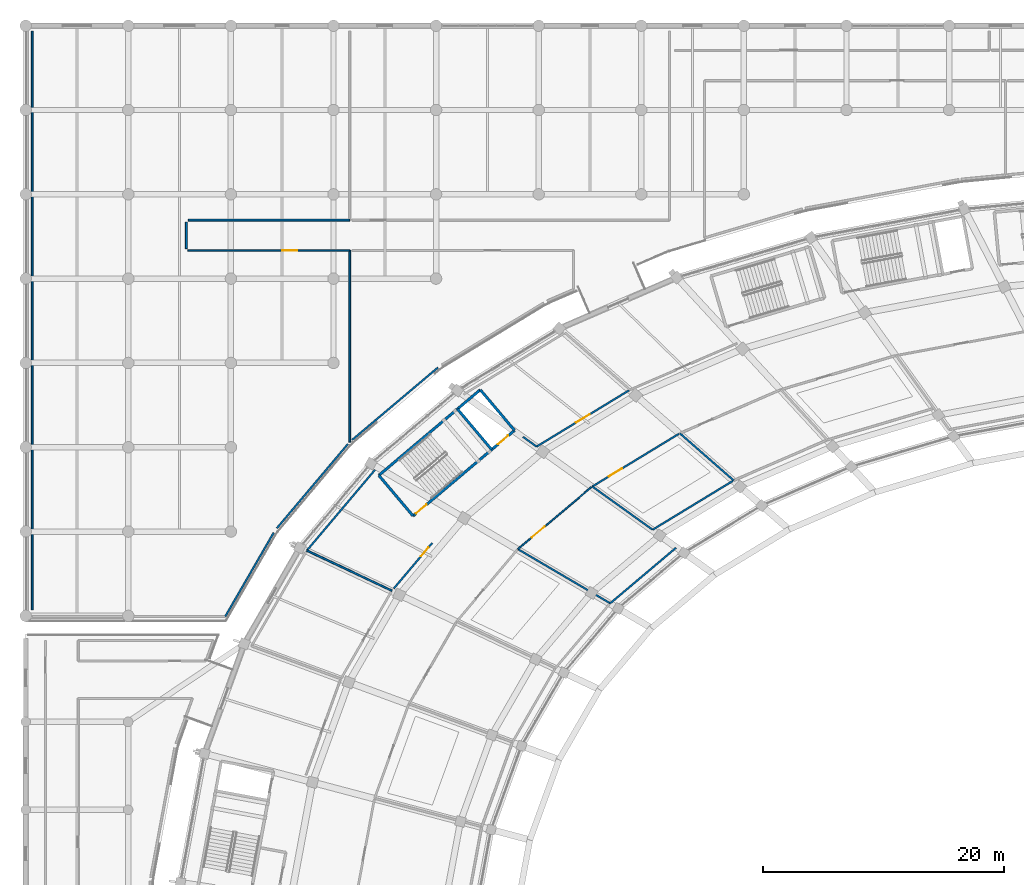
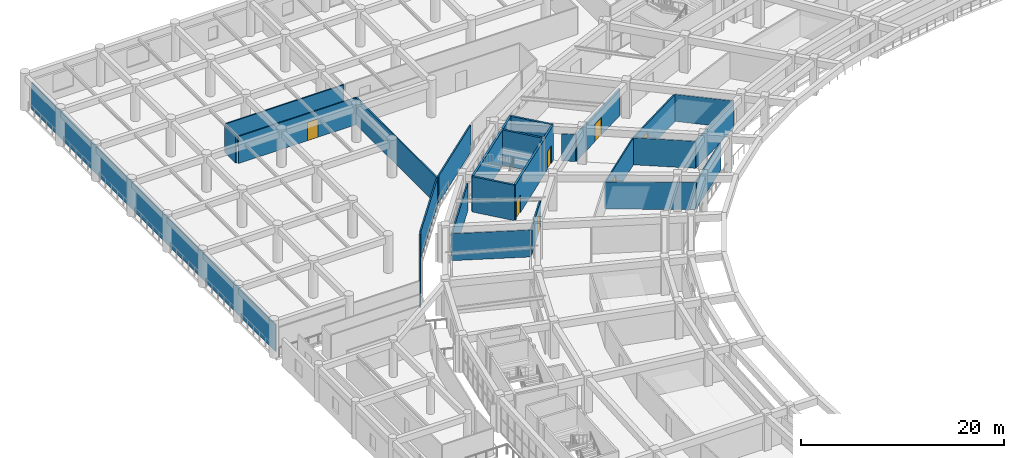
# One storey, part 107 of 145: 25 walls, 7 doors, 7 openings.
"""IFC4 building model written with IfcOpenShell, lengths in metres."""

from ifc_helpers import new_model, si_unit, direction, frame, frame_2d, origin, place, context, subcontext, project, spatial, rectangle, extrude, material, layer, layer_set, type_object, element, fill, save


model = new_model("IFC4")

# Units and contexts
model_context = context("Model", 3, precision=1e-05, world=origin(), true_north=direction((0.0, 1.0)))
body_context = subcontext(model_context, "Body", "Model", "MODEL_VIEW")
ifc_project = project(units=[si_unit("LENGTHUNIT", "METRE"), si_unit("AREAUNIT", "SQUARE_METRE"), si_unit("VOLUMEUNIT", "CUBIC_METRE"), si_unit("PLANEANGLEUNIT", "RADIAN"), si_unit("MASSUNIT", "GRAM", prefix="KILO")], contexts=[model_context])

# Site, building, storey
site_placement = place(None, origin())
site = spatial("IfcSite", under=ifc_project, at=site_placement, CompositionType="ELEMENT")
building_placement = place(site_placement, origin())
building = spatial("IfcBuilding", under=site, at=building_placement, Name="Mphavela Belvedere Stadium", CompositionType="ELEMENT")
storey_placement = place(building_placement, frame((0.0, 0.0, 10.199951171875)))
storey = spatial("IfcBuildingStorey", under=building, at=storey_placement, Name="L02", CompositionType="ELEMENT", Elevation=10.199951171875)

# Walls
ifc_material_1 = material(Name="Concrete C40/50", Category="concrete")
ifc_layer_1 = layer(ifc_material_1, 0.219970703125)
ifc_layer_set_1 = layer_set([ifc_layer_1], Name="Concrete C40/50")
wall_type_1 = type_object("IfcWallType", Name="WAL-CORE-SHEAR-220", PredefinedType="SHEAR", material=ifc_layer_set_1)
wall_1_placement = place(storey_placement, frame((29.318603515625, 136.666015625, 0.0), z_axis=(0.0, 0.0, 1.0), x_axis=(0.764247804305, 0.644922703598, 0.0)))
element("IfcWall", 1, at=wall_1_placement, inside=storey, type_object=wall_type_1, Name="Core C05 shear wall L02 rear", PredefinedType="SHEAR", context=body_context, shape_type="SweptSolid", body=[
    extrude(rectangle(XDim=11.019775390625, YDim=0.219970703125, at=frame_2d((5.509765625, 0.0))), origin(), (0.0, 0.0, 1.0), 4.25),
])
wall_2_placement = place(storey_placement, frame((32.16259765625, 133.295654296875, 0.0), z_axis=(0.0, 0.0, 1.0), x_axis=(-0.644904288042, 0.764263344185, 0.0)))
element("IfcWall", 2, at=wall_2_placement, inside=storey, type_object=wall_type_1, Name="Core C05 shear wall L02 left", PredefinedType="SHEAR", context=body_context, shape_type="SweptSolid", body=[
    extrude(rectangle(XDim=4.409912109375, YDim=0.219970703125, at=frame_2d((2.205078125, 0.0))), origin(), (0.0, 0.0, 1.0), 4.25),
])
wall_3_placement = place(storey_placement, frame((40.584716796875, 140.402587890625, 0.0), z_axis=(0.0, 0.0, 1.0), x_axis=(-0.644936622785, 0.764236058159, 0.0)))
element("IfcWall", 3, at=wall_3_placement, inside=storey, type_object=wall_type_1, Name="Core C05 shear wall L02 right", PredefinedType="SHEAR", context=body_context, shape_type="SweptSolid", body=[
    extrude(rectangle(XDim=4.41015625, YDim=0.219970703125, at=frame_2d((2.205078125, 0.0))), origin(), (0.0, 0.0, 1.0), 4.25),
])

# Wall, openings, doors
wall_4_placement = place(storey_placement, frame((32.16259765625, 133.295654296875, 0.0), z_axis=(0.0, 0.0, 1.0), x_axis=(0.764257018762, 0.644911784102, 0.0)))
wall_4 = element("IfcWall", 4, at=wall_4_placement, inside=storey, type_object=wall_type_1, Name="Core C05 shear wall L02 front", PredefinedType="SHEAR", context=body_context, shape_type="SweptSolid", body=[
    extrude(rectangle(XDim=11.02001953125, YDim=0.219970703125, at=frame_2d((5.510009765625, 0.0))), origin(), (0.0, 0.0, 1.0), 4.25),
])
opening_1_placement = place(wall_4_placement, frame((0.300048828125, 0.0, 0.0)))
opening_1 = element("IfcOpeningElement", 5, at=opening_1_placement, cuts=wall_4, Name="Opening SD-023", PredefinedType="OPENING", context=body_context, shape_type="SweptSolid", body=[
    extrude(rectangle(XDim=1.14990234375, YDim=2.14990234375, at=frame_2d((0.574951171875, 1.074951171875))), frame((0.0, 0.1201171875, 0.0), z_axis=(0.0, -1.0, 0.0), x_axis=(1.0, 0.0, 0.0)), (0.0, 0.0, 1.0), 0.239990234375),
])
opening_2_placement = place(wall_4_placement, frame((9.22998046875, 0.0, 0.0)))
opening_2 = element("IfcOpeningElement", 6, at=opening_2_placement, cuts=wall_4, Name="Opening LD-023", PredefinedType="OPENING", context=body_context, shape_type="SweptSolid", body=[
    extrude(rectangle(XDim=1.10009765625, YDim=2.14990234375, at=frame_2d((0.550048828125, 1.074951171875))), frame((0.0, 0.1201171875, 0.0), z_axis=(0.0, -1.0, 0.0), x_axis=(1.0, 0.0, 0.0)), (0.0, 0.0, 1.0), 0.239990234375),
])
ifc_material_2 = material(Name="Stainless steel center-parting lift landing door", Category="steel")
door_type_1 = type_object("IfcDoorType", Name="DR-LIFT-SLIDE-1100", OperationType="NOTDEFINED", PredefinedType="DOOR", material=ifc_material_2)
door_1_placement = place(opening_2_placement, origin())
door_1 = element("IfcDoor", 7, at=door_1_placement, inside=storey, type_object=door_type_1, Name="Lift landing sliding door PL02 L02", OperationType="DOUBLE_DOOR_SLIDING", OverallHeight=2.14990234375, OverallWidth=1.10009765625, PredefinedType="DOOR", context=body_context, shape_type="SweptSolid", body=[
    extrude(rectangle(XDim=1.10009765625, YDim=2.14990234375, at=frame_2d((0.550048828125, 1.074951171875))), frame((0.0, 0.02490234375, 0.0), z_axis=(0.0, -1.0, 0.0), x_axis=(1.0, 0.0, 0.0)), (0.0, 0.0, 1.0), 0.050048828125),
])
fill(opening_2, door_1)
ifc_material_3 = material(Name="Steel acoustic fire-resisting stair doorset", Category="steel")
door_type_2 = type_object("IfcDoorType", Name="DR-STAIR-FIRE-1150", OperationType="NOTDEFINED", PredefinedType="DOOR", material=ifc_material_3)
door_2_placement = place(opening_1_placement, origin())
door_2 = element("IfcDoor", 8, at=door_2_placement, inside=storey, type_object=door_type_2, Name="Escape stair fire door C05 L02", OperationType="SINGLE_SWING_LEFT", OverallHeight=2.14990234375, OverallWidth=1.14990234375, PredefinedType="DOOR", context=body_context, shape_type="SweptSolid", body=[
    extrude(rectangle(XDim=1.14990234375, YDim=2.14990234375, at=frame_2d((0.574951171875, 1.074951171875))), frame((0.0, 0.02490234375, 0.0), z_axis=(0.0, -1.0, 0.0), x_axis=(1.0, 0.0, 0.0)), (0.0, 0.0, 1.0), 0.050048828125),
])
fill(opening_1, door_2)

# Wall
wall_5_placement = place(storey_placement, frame((38.689208984375, 138.80322265625, 0.0), z_axis=(0.0, 0.0, 1.0), x_axis=(-0.644904288042, 0.764263344185, 0.0)))
element("IfcWall", 9, at=wall_5_placement, inside=storey, type_object=wall_type_1, Name="Core C05 shear wall L02 div", PredefinedType="SHEAR", context=body_context, shape_type="SweptSolid", body=[
    extrude(rectangle(XDim=4.409912109375, YDim=0.219970703125, at=frame_2d((2.205078125, 0.0))), origin(), (0.0, 0.0, 1.0), 4.25),
])

# Wall, opening, door
ifc_material_4 = material(Name="Moisture-resistant sanitary partition assembly")
ifc_layer_2 = layer(ifc_material_4, 0.125)
ifc_layer_set_2 = layer_set([ifc_layer_2], Name="Moisture-resistant sanitary partition assembly")
wall_type_2 = type_object("IfcWallType", Name="WAL-PART-125", PredefinedType="PARTITIONING", material=ifc_layer_set_2)
wall_6_placement = place(storey_placement, frame((40.866943359375, 130.539306640625, 0.0), z_axis=(0.0, 0.0, 1.0), x_axis=(0.764249122867, 0.644921141068, 0.0)))
wall_6 = element("IfcWall", 10, at=wall_6_placement, inside=storey, type_object=wall_type_2, Name="Room L02-81 corridor partition", PredefinedType="PARTITIONING", context=body_context, shape_type="SweptSolid", body=[
    extrude(rectangle(XDim=7.989501953125, YDim=0.125, at=frame_2d((3.99462890625, 0.0))), origin(), (0.0, 0.0, 1.0), 3.25),
])
opening_3_placement = place(wall_6_placement, frame((1.510009765625, 0.0, 0.0)))
opening_3 = element("IfcOpeningElement", 11, at=opening_3_placement, cuts=wall_6, Name="Opening ID-192", PredefinedType="OPENING", context=body_context, shape_type="SweptSolid", body=[
    extrude(rectangle(XDim=1.39990234375, YDim=2.10009765625, at=frame_2d((0.699951171875, 1.050048828125))), frame((0.0, 0.072509765625, 0.0), z_axis=(0.0, -1.0, 0.0), x_axis=(1.0, 0.0, 0.0)), (0.0, 0.0, 1.0), 0.14501953125),
])
ifc_material_5 = material(Name="Hardwood acoustic timber doorset", Category="wood")
door_type_3 = type_object("IfcDoorType", Name="DR-INT-12", OperationType="NOTDEFINED", PredefinedType="DOOR", material=ifc_material_5)
door_3_placement = place(opening_3_placement, origin())
door_3 = element("IfcDoor", 12, at=door_3_placement, inside=storey, type_object=door_type_3, Name="Room L02-81 entrance door ID-192", OperationType="SINGLE_SWING_RIGHT", OverallHeight=2.10009765625, OverallWidth=1.39990234375, PredefinedType="DOOR", context=body_context, shape_type="SweptSolid", body=[
    extrude(rectangle(XDim=1.39990234375, YDim=2.10009765625, at=frame_2d((0.699951171875, 1.050048828125))), frame((0.0, 0.02490234375, 0.0), z_axis=(0.0, -1.0, 0.0), x_axis=(1.0, 0.0, 0.0)), (0.0, 0.0, 1.0), 0.050048828125),
])
fill(opening_3, door_3)

wall_7_placement = place(storey_placement, frame((13.46875, 155.343017578125, 0.0), z_axis=(0.0, 0.0, 1.0), x_axis=(0.99999997621, -0.00021812629, 0.0)))
wall_7 = element("IfcWall", 13, at=wall_7_placement, inside=storey, type_object=wall_type_2, Name="Room L02-173 corridor partition", PredefinedType="PARTITIONING", context=body_context, shape_type="SweptSolid", body=[
    extrude(rectangle(XDim=13.43115234375, YDim=0.125, at=frame_2d((6.715576171875, 0.0))), origin(), (0.0, 0.0, 1.0), 3.25),
])
opening_4_placement = place(wall_7_placement, frame((7.84130859375, 0.0, 0.0)))
opening_4 = element("IfcOpeningElement", 14, at=opening_4_placement, cuts=wall_7, Name="Opening ID-453", PredefinedType="OPENING", context=body_context, shape_type="SweptSolid", body=[
    extrude(rectangle(XDim=1.219970703125, YDim=2.199951171875, at=frame_2d((0.60986328125, 1.10009765625))), frame((0.0, 0.072509765625, 0.0), z_axis=(0.0, -1.0, 0.0), x_axis=(1.0, 0.0, 0.0)), (0.0, 0.0, 1.0), 0.14501953125),
])
ifc_material_6 = material(Name="Hardwood acoustic timber doorset", Category="wood")
door_type_4 = type_object("IfcDoorType", Name="DR-INT-21", OperationType="NOTDEFINED", PredefinedType="DOOR", material=ifc_material_6)
door_4_placement = place(opening_4_placement, origin())
door_4 = element("IfcDoor", 15, at=door_4_placement, inside=storey, type_object=door_type_4, Name="Room L02-173 entrance door ID-453", OperationType="SINGLE_SWING_LEFT", OverallHeight=2.199951171875, OverallWidth=1.219970703125, PredefinedType="DOOR", context=body_context, shape_type="SweptSolid", body=[
    extrude(rectangle(XDim=1.219970703125, YDim=2.199951171875, at=frame_2d((0.60986328125, 1.10009765625))), frame((0.0, 0.02490234375, 0.0), z_axis=(0.0, -1.0, 0.0), x_axis=(1.0, 0.0, 0.0)), (0.0, 0.0, 1.0), 0.050048828125),
])
fill(opening_4, door_4)

ifc_material_7 = material(Name="Acoustic gypsum stud partition assembly")
ifc_layer_3 = layer(ifc_material_7, 0.14990234375)
ifc_layer_set_3 = layer_set([ifc_layer_3], Name="Acoustic gypsum stud partition assembly")
wall_type_3 = type_object("IfcWallType", Name="WAL-PART-150", PredefinedType="PARTITIONING", material=ifc_layer_set_3)
wall_8_placement = place(storey_placement, frame((47.04345703125, 135.73974609375, 0.0), z_axis=(0.0, 0.0, 1.0), x_axis=(0.854330104408, 0.519730769439, 0.0)))
wall_8 = element("IfcWall", 16, at=wall_8_placement, inside=storey, type_object=wall_type_3, Name="Room L02-78 corridor partition", PredefinedType="PARTITIONING", context=body_context, shape_type="SweptSolid", body=[
    extrude(rectangle(XDim=8.420166015625, YDim=0.14990234375, at=frame_2d((4.2099609375, 0.0))), origin(), (0.0, 0.0, 1.0), 3.25),
])
opening_5_placement = place(wall_8_placement, frame((1.6240234375, 0.0, 0.0)))
opening_5 = element("IfcOpeningElement", 17, at=opening_5_placement, cuts=wall_8, Name="Opening ID-190", PredefinedType="OPENING", context=body_context, shape_type="SweptSolid", body=[
    extrude(rectangle(XDim=1.260009765625, YDim=2.10009765625, at=frame_2d((0.6298828125, 1.050048828125))), frame((0.0, 0.0849609375, 0.0), z_axis=(0.0, -1.0, 0.0), x_axis=(1.0, 0.0, 0.0)), (0.0, 0.0, 1.0), 0.169921875),
])
ifc_material_8 = material(Name="Hardwood acoustic timber doorset", Category="wood")
door_type_5 = type_object("IfcDoorType", Name="DR-INT-10", OperationType="NOTDEFINED", PredefinedType="DOOR", material=ifc_material_8)
door_5_placement = place(opening_5_placement, origin())
door_5 = element("IfcDoor", 18, at=door_5_placement, inside=storey, type_object=door_type_5, Name="Room L02-78 entrance door ID-190", OperationType="SINGLE_SWING_RIGHT", OverallHeight=2.10009765625, OverallWidth=1.260009765625, PredefinedType="DOOR", context=body_context, shape_type="SweptSolid", body=[
    extrude(rectangle(XDim=1.260009765625, YDim=2.10009765625, at=frame_2d((0.6298828125, 1.050048828125))), frame((0.0, 0.02490234375, 0.0), z_axis=(0.0, -1.0, 0.0), x_axis=(1.0, 0.0, 0.0)), (0.0, 0.0, 1.0), 0.050048828125),
])
fill(opening_5, door_5)

wall_9_placement = place(storey_placement, frame((50.10546875, 143.731201171875, 0.0), z_axis=(0.0, 0.0, 1.0), x_axis=(-0.854321649351, -0.519744667554, 0.0)))
wall_9 = element("IfcWall", 19, at=wall_9_placement, inside=storey, type_object=wall_type_3, Name="Room L02-79 corridor partition", PredefinedType="PARTITIONING", context=body_context, shape_type="SweptSolid", body=[
    extrude(rectangle(XDim=8.99853515625, YDim=0.14990234375, at=frame_2d((4.499267578125, 0.0))), origin(), (0.0, 0.0, 1.0), 3.25),
])
opening_6_placement = place(wall_9_placement, frame((3.83935546875, 0.0, 0.0)))
opening_6 = element("IfcOpeningElement", 20, at=opening_6_placement, cuts=wall_9, Name="Opening ID-191", PredefinedType="OPENING", context=body_context, shape_type="SweptSolid", body=[
    extrude(rectangle(XDim=1.320068359375, YDim=2.10009765625, at=frame_2d((0.66015625, 1.050048828125))), frame((0.0, 0.0849609375, 0.0), z_axis=(0.0, -1.0, 0.0), x_axis=(1.0, 0.0, 0.0)), (0.0, 0.0, 1.0), 0.169921875),
])
ifc_material_9 = material(Name="Hardwood acoustic timber doorset", Category="wood")
door_type_6 = type_object("IfcDoorType", Name="DR-INT-11", OperationType="NOTDEFINED", PredefinedType="DOOR", material=ifc_material_9)
door_6_placement = place(opening_6_placement, origin())
door_6 = element("IfcDoor", 21, at=door_6_placement, inside=storey, type_object=door_type_6, Name="Room L02-79 entrance door ID-191", OperationType="SINGLE_SWING_LEFT", OverallHeight=2.10009765625, OverallWidth=1.320068359375, PredefinedType="DOOR", context=body_context, shape_type="SweptSolid", body=[
    extrude(rectangle(XDim=1.320068359375, YDim=2.10009765625, at=frame_2d((0.66015625, 1.050048828125))), frame((0.0, 0.02490234375, 0.0), z_axis=(0.0, -1.0, 0.0), x_axis=(1.0, 0.0, 0.0)), (0.0, 0.0, 1.0), 0.050048828125),
])
fill(opening_6, door_6)

wall_10_placement = place(storey_placement, frame((33.747802734375, 131.044921875, 0.0), z_axis=(0.0, 0.0, 1.0), x_axis=(-0.645189146842, -0.764022882378, 0.0)))
wall_10 = element("IfcWall", 22, at=wall_10_placement, inside=storey, type_object=wall_type_3, Name="Room L02-84 corridor partition", PredefinedType="PARTITIONING", context=body_context, shape_type="SweptSolid", body=[
    extrude(rectangle(XDim=4.943115234375, YDim=0.14990234375, at=frame_2d((2.4716796875, 0.0))), origin(), (0.0, 0.0, 1.0), 3.25),
])
opening_7_placement = place(wall_10_placement, frame((0.488037109375, 0.0, 0.0)))
opening_7 = element("IfcOpeningElement", 23, at=opening_7_placement, cuts=wall_10, Name="Opening ID-194", PredefinedType="OPENING", context=body_context, shape_type="SweptSolid", body=[
    extrude(rectangle(XDim=0.93994140625, YDim=2.199951171875, at=frame_2d((0.469970703125, 1.10009765625))), frame((0.0, 0.0849609375, 0.0), z_axis=(0.0, -1.0, 0.0), x_axis=(1.0, 0.0, 0.0)), (0.0, 0.0, 1.0), 0.169921875),
])
ifc_material_10 = material(Name="Hardwood acoustic timber doorset", Category="wood")
door_type_7 = type_object("IfcDoorType", Name="DR-INT-14", OperationType="NOTDEFINED", PredefinedType="DOOR", material=ifc_material_10)
door_7_placement = place(opening_7_placement, origin())
door_7 = element("IfcDoor", 24, at=door_7_placement, inside=storey, type_object=door_type_7, Name="Room L02-84 entrance door ID-194", OperationType="SINGLE_SWING_RIGHT", OverallHeight=2.199951171875, OverallWidth=0.93994140625, PredefinedType="DOOR", context=body_context, shape_type="SweptSolid", body=[
    extrude(rectangle(XDim=0.93994140625, YDim=2.199951171875, at=frame_2d((0.469970703125, 1.10009765625))), frame((0.0, 0.02490234375, 0.0), z_axis=(0.0, -1.0, 0.0), x_axis=(1.0, 0.0, 0.0)), (0.0, 0.0, 1.0), 0.050048828125),
])
fill(opening_7, door_7)

# Walls
wall_11_placement = place(storey_placement, frame((58.78369140625, 136.24365234375, 0.0), z_axis=(0.0, 0.0, 1.0), x_axis=(-0.752558865068, 0.658524984042, 0.0)))
element("IfcWall", 25, at=wall_11_placement, inside=storey, type_object=wall_type_3, Name="Room divider partition L02-0337", PredefinedType="PARTITIONING", context=body_context, shape_type="SweptSolid", body=[
    extrude(rectangle(XDim=5.937744140625, YDim=0.14990234375, at=frame_2d((2.96875, 0.0))), origin(), (0.0, 0.0, 1.0), 3.25),
])
wall_12_placement = place(storey_placement, frame((58.708984375, 136.20263671875, 0.0), z_axis=(0.0, 0.0, 1.0), x_axis=(-0.854328586702, -0.519733264226, 0.0)))
element("IfcWall", 26, at=wall_12_placement, inside=storey, type_object=wall_type_3, Name="Room divider partition L02-0339", PredefinedType="PARTITIONING", context=body_context, shape_type="SweptSolid", body=[
    extrude(rectangle(XDim=7.79345703125, YDim=0.14990234375, at=frame_2d((3.896728515625, 0.0))), origin(), (0.0, 0.0, 1.0), 3.25),
])
wall_13_placement = place(storey_placement, frame((52.05078125, 132.152099609375, 0.0), z_axis=(0.0, 0.0, 1.0), x_axis=(-0.81288905718, 0.582418561446, 0.0)))
element("IfcWall", 27, at=wall_13_placement, inside=storey, type_object=wall_type_3, Name="Room divider partition L02-0340", PredefinedType="PARTITIONING", context=body_context, shape_type="SweptSolid", body=[
    extrude(rectangle(XDim=6.159912109375, YDim=0.14990234375, at=frame_2d((3.080078125, 0.0))), origin(), (0.0, 0.0, 1.0), 3.25),
])
wall_14_placement = place(storey_placement, frame((42.417724609375, 139.05419921875, 0.0), z_axis=(0.0, 0.0, 1.0), x_axis=(-0.812925279681, 0.582368001916, 0.0)))
element("IfcWall", 28, at=wall_14_placement, inside=storey, type_object=wall_type_3, Name="Room divider partition L02-0342", PredefinedType="PARTITIONING", context=body_context, shape_type="SweptSolid", body=[
    extrude(rectangle(XDim=1.389404296875, YDim=0.14990234375, at=frame_2d((0.69482421875, 0.0))), origin(), (0.0, 0.0, 1.0), 3.25),
])
wall_15_placement = place(storey_placement, frame((54.0, 130.656982421875, 0.0), z_axis=(0.0, 0.0, 1.0), x_axis=(-0.764260476561, -0.644907686391, 0.0)))
element("IfcWall", 29, at=wall_15_placement, inside=storey, type_object=wall_type_3, Name="Room divider partition L02-0343", PredefinedType="PARTITIONING", context=body_context, shape_type="SweptSolid", body=[
    extrude(rectangle(XDim=7.1552734375, YDim=0.14990234375, at=frame_2d((3.57763671875, 0.0))), origin(), (0.0, 0.0, 1.0), 3.25),
])
wall_16_placement = place(storey_placement, frame((48.531494140625, 126.04248046875, 0.0), z_axis=(0.0, 0.0, 1.0), x_axis=(-0.862510676199, 0.506038865545, 0.0)))
element("IfcWall", 30, at=wall_16_placement, inside=storey, type_object=wall_type_3, Name="Room divider partition L02-0344", PredefinedType="PARTITIONING", context=body_context, shape_type="SweptSolid", body=[
    extrude(rectangle(XDim=8.88623046875, YDim=0.14990234375, at=frame_2d((4.443115234375, 0.0))), origin(), (0.0, 0.0, 1.0), 3.25),
])
wall_17_placement = place(storey_placement, frame((30.40478515625, 127.0859375, 0.0), z_axis=(0.0, 0.0, 1.0), x_axis=(-0.903857436248, 0.427833770218, 0.0)))
element("IfcWall", 31, at=wall_17_placement, inside=storey, type_object=wall_type_3, Name="Room divider partition L02-0347", PredefinedType="PARTITIONING", context=body_context, shape_type="SweptSolid", body=[
    extrude(rectangle(XDim=7.81201171875, YDim=0.14990234375, at=frame_2d((3.906005859375, 0.0))), origin(), (0.0, 0.0, 1.0), 3.25),
])
wall_18_placement = place(storey_placement, frame((23.34375, 130.42822265625, 0.0), z_axis=(0.0, 0.0, 1.0), x_axis=(0.645169991826, 0.764039057671, 0.0)))
element("IfcWall", 32, at=wall_18_placement, inside=storey, type_object=wall_type_3, Name="Room divider partition L02-0348", PredefinedType="PARTITIONING", context=body_context, shape_type="SweptSolid", body=[
    extrude(rectangle(XDim=8.776123046875, YDim=0.14990234375, at=frame_2d((4.38818359375, 0.0))), origin(), (0.0, 0.0, 1.0), 3.25),
])
wall_19_placement = place(storey_placement, frame((13.340087890625, 157.699951171875, 0.0), z_axis=(0.0, 0.0, 1.0), x_axis=(0.000330578494, -0.999999945359, 0.0)))
element("IfcWall", 33, at=wall_19_placement, inside=storey, type_object=wall_type_3, Name="Room divider partition L02-0990", PredefinedType="PARTITIONING", context=body_context, shape_type="SweptSolid", body=[
    extrude(rectangle(XDim=2.215576171875, YDim=0.14990234375, at=frame_2d((1.10791015625, 0.0))), origin(), (0.0, 0.0, 1.0), 3.25),
])
wall_20_placement = place(storey_placement, frame((26.89990234375, 155.340087890625, 0.0), z_axis=(0.0, 0.0, 1.0), x_axis=(0.0, -1.0, 0.0)))
element("IfcWall", 34, at=wall_20_placement, inside=storey, type_object=wall_type_3, Name="Room divider partition L02-0991", PredefinedType="PARTITIONING", context=body_context, shape_type="SweptSolid", body=[
    extrude(rectangle(XDim=15.9130859375, YDim=0.14990234375, at=frame_2d((7.95654296875, 0.0))), origin(), (0.0, 0.0, 1.0), 3.25),
])
wall_21_placement = place(storey_placement, frame((26.751708984375, 139.266357421875, 0.0), z_axis=(0.0, 0.0, 1.0), x_axis=(-0.645180125691, -0.764030500316, 0.0)))
element("IfcWall", 35, at=wall_21_placement, inside=storey, type_object=wall_type_3, Name="Room divider partition L02-0992", PredefinedType="PARTITIONING", context=body_context, shape_type="SweptSolid", body=[
    extrude(rectangle(XDim=9.1513671875, YDim=0.14990234375, at=frame_2d((4.57568359375, 0.0))), origin(), (0.0, 0.0, 1.0), 3.25),
])
wall_22_placement = place(storey_placement, frame((20.59326171875, 131.912841796875, 0.0), z_axis=(0.0, 0.0, 1.0), x_axis=(-0.500545605998, -0.865710168773, 0.0)))
element("IfcWall", 36, at=wall_22_placement, inside=storey, type_object=wall_type_3, Name="Room divider partition L02-0993", PredefinedType="PARTITIONING", context=body_context, shape_type="SweptSolid", body=[
    extrude(rectangle(XDim=8.04296875, YDim=0.14990234375, at=frame_2d((4.021484375, 0.0))), origin(), (0.0, 0.0, 1.0), 3.25),
])
wall_23_placement = place(storey_placement, frame((0.550048828125, 125.5, 0.0), z_axis=(0.0, 0.0, 1.0), x_axis=(0.0, 1.0, 0.0)))
element("IfcWall", 37, at=wall_23_placement, inside=storey, type_object=wall_type_3, Name="Room divider partition L02-0995", PredefinedType="PARTITIONING", context=body_context, shape_type="SweptSolid", body=[
    extrude(rectangle(XDim=48.050048828125, YDim=0.14990234375, at=frame_2d((24.02490234375, 0.0))), origin(), (0.0, 0.0, 1.0), 3.25),
])
wall_24_placement = place(storey_placement, frame((26.89990234375, 157.860107421875, 0.0), z_axis=(0.0, 0.0, 1.0), x_axis=(-1.0, 0.0, 0.0)))
element("IfcWall", 38, at=wall_24_placement, inside=storey, type_object=wall_type_3, Name="Room divider partition L02-0997", PredefinedType="PARTITIONING", context=body_context, shape_type="SweptSolid", body=[
    extrude(rectangle(XDim=13.39990234375, YDim=0.14990234375, at=frame_2d((6.699951171875, 0.0))), origin(), (0.0, 0.0, 1.0), 3.25),
])
wall_25_placement = place(storey_placement, frame((34.232177734375, 145.625244140625, 0.0), z_axis=(0.0, 0.0, 1.0), x_axis=(-0.764245949545, -0.644924901523, 0.0)))
element("IfcWall", 39, at=wall_25_placement, inside=storey, type_object=wall_type_3, Name="Room divider partition L02-1002", PredefinedType="PARTITIONING", context=body_context, shape_type="SweptSolid", body=[
    extrude(rectangle(XDim=9.332275390625, YDim=0.14990234375, at=frame_2d((4.666015625, 0.0))), origin(), (0.0, 0.0, 1.0), 3.25),
])

save(model, "model.ifc")
